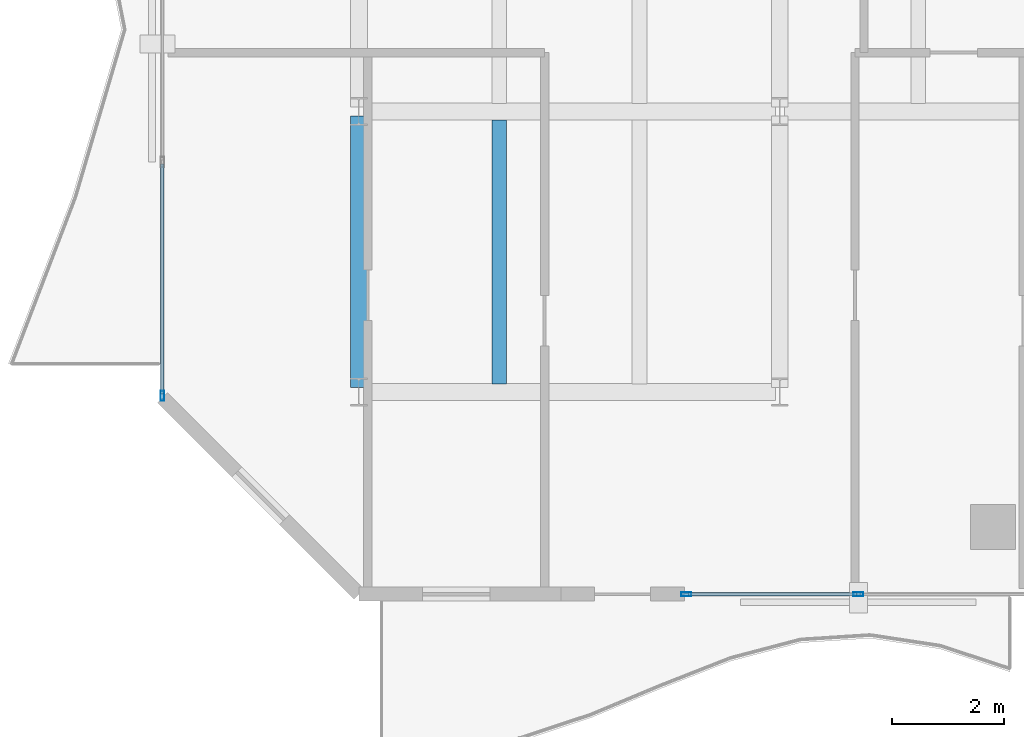
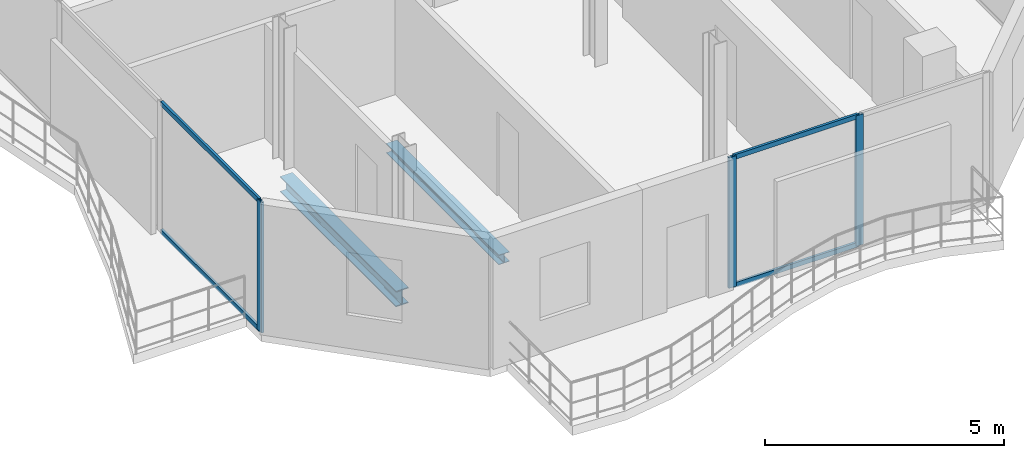
# One storey, part 3 of 23: 7 members, 2 beams, 2 elements without a shape of their own.
"""IFC4 building model written with IfcOpenShell, lengths in metres."""

from ifc_helpers import new_model, si_unit, direction, frame, origin, origin_2d, place, context, subcontext, project, spatial, hollow_rectangle, i_section, extrude, material, layer, layer_set, material_profile, profile_set, type_object, element, aggregate, save


model = new_model("IFC4")

# Units and contexts
model_context = context("Model", 3, precision=1e-05, world=origin(), true_north=direction((0.0, 1.0)))
body_context = subcontext(model_context, "Body", "Model", "MODEL_VIEW")
ifc_project = project(units=[si_unit("LENGTHUNIT", "METRE"), si_unit("AREAUNIT", "SQUARE_METRE"), si_unit("VOLUMEUNIT", "CUBIC_METRE"), si_unit("PLANEANGLEUNIT", "RADIAN"), si_unit("MASSUNIT", "GRAM", prefix="KILO")], contexts=[model_context])

# Site, building, storey
site_placement = place(None, origin())
site = spatial("IfcSite", under=ifc_project, at=site_placement, CompositionType="ELEMENT")
building_placement = place(site_placement, origin())
building = spatial("IfcBuilding", under=site, at=building_placement, Name="Catumbela Crestline Tower", CompositionType="ELEMENT")
storey_placement = place(building_placement, frame((0.0, 0.0, 186.6)))
storey = spatial("IfcBuildingStorey", under=building, at=storey_placement, Name="L48", CompositionType="ELEMENT", Elevation=186.6)

# Beams
ifc_material_1 = material(Name="Structural steel S355J2", Category="steel")
ifc_material_profile_1 = material_profile(ifc_material_1, i_section(OverallWidth=0.3, OverallDepth=0.4, WebThickness=0.0135, FlangeThickness=0.024, FilletRadius=0.027, at=origin_2d()), Name="HEB 400")
ifc_profile_set_1 = profile_set([ifc_material_profile_1], Name="Structural steel S355J2")
beam_type_1 = type_object("IfcBeamType", Name="BG-HEB400", PredefinedType="BEAM", material=ifc_profile_set_1)
beam_1_placement = place(storey_placement, frame((8.5, 8.68, -0.46), z_axis=(0.0, 1.0, 0.0), x_axis=(-1.0, 0.0, 0.0)))
element("IfcBeam", 1, at=beam_1_placement, inside=storey, type_object=beam_type_1, Name="L48 Beam BM-L48-WNS37", PredefinedType="BEAM", context=body_context, shape_type="SweptSolid", body=[
    extrude(i_section(OverallWidth=0.3, OverallDepth=0.4, WebThickness=0.0135, FlangeThickness=0.024, FilletRadius=0.027, at=origin_2d()), origin(), (0.0, 0.0, 1.0), 4.84),
])
ifc_material_profile_2 = material_profile(ifc_material_1, i_section(OverallWidth=0.26, OverallDepth=0.25, WebThickness=0.0075, FlangeThickness=0.0125, FilletRadius=0.024, at=origin_2d()), Name="HEA 260")
ifc_profile_set_2 = profile_set([ifc_material_profile_2], Name="Structural steel S355J2")
beam_type_2 = type_object("IfcBeamType", Name="BJ-HEA260", PredefinedType="JOIST", material=ifc_profile_set_2)
beam_2_placement = place(storey_placement, frame((11.0, 8.747, -0.385), z_axis=(0.0, 1.0, 0.0), x_axis=(-1.0, 0.0, 0.0)))
element("IfcBeam", 2, at=beam_2_placement, inside=storey, type_object=beam_type_2, Name="L48 Joist JS-L48-WG44", PredefinedType="JOIST", context=body_context, shape_type="SweptSolid", body=[
    extrude(i_section(OverallWidth=0.26, OverallDepth=0.25, WebThickness=0.0075, FlangeThickness=0.0125, FilletRadius=0.024, at=origin_2d()), origin(), (0.0, 0.0, 1.0), 4.706),
])

# Curtain wall, members
ifc_material_2 = material(Name="Aluminium alloy AW-6060-T66", Category="aluminium")
ifc_layer = layer(ifc_material_2, 0.18, Name="Aluminium alloy AW-6060-T66")
ifc_layer_set = layer_set([ifc_layer], Name="Aluminium alloy AW-6060-T66")
curtain_wall_type = type_object("IfcCurtainWallType", Name="CWU-Z3", PredefinedType="USERDEFINED", material=ifc_layer_set)
curtain_wall_1_placement = place(storey_placement, origin())
curtain_wall_1 = element("IfcCurtainWall", 3, at=curtain_wall_1_placement, inside=storey, type_object=curtain_wall_type, Name="L48 Unitised Curtain Wall CW-L48-E0S2", ObjectType="UNITISED", PredefinedType="USERDEFINED")
ifc_material_profile_3 = material_profile(ifc_material_2, hollow_rectangle(XDim=0.065, YDim=0.18, WallThickness=0.004, at=origin_2d()), Name="ALU 180x65x4")
ifc_profile_set_3 = profile_set([ifc_material_profile_3], Name="Aluminium alloy AW-6060-T66")
member_type_1 = type_object("IfcMemberType", Name="MUL-180X65", PredefinedType="MULLION", material=ifc_profile_set_3)
member_1_placement = place(storey_placement, frame((14.3325, 5.0, 0.0), z_axis=(0.0, 0.0, 1.0), x_axis=(0.0, 1.0, 0.0)))
member_1 = element("IfcMember", 4, at=member_1_placement, type_object=member_type_1, Name="CWU-Z3 mullion 1", PredefinedType="MULLION", context=body_context, shape_type="SweptSolid", body=[
    extrude(hollow_rectangle(XDim=0.065, YDim=0.18, WallThickness=0.004, at=origin_2d()), origin(), (0.0, 0.0, 1.0), 3.33),
])
member_2_placement = place(storey_placement, frame((17.4, 5.0, 0.0), z_axis=(0.0, 0.0, 1.0), x_axis=(0.0, 1.0, 0.0)))
member_2 = element("IfcMember", 5, at=member_2_placement, type_object=member_type_1, Name="CWU-Z3 mullion 2", PredefinedType="MULLION", context=body_context, shape_type="SweptSolid", body=[
    extrude(hollow_rectangle(XDim=0.065, YDim=0.18, WallThickness=0.004, at=origin_2d()), origin(), (0.0, 0.0, 1.0), 3.33),
])

# Curtain wall, member
curtain_wall_2_placement = place(storey_placement, origin())
curtain_wall_2 = element("IfcCurtainWall", 6, at=curtain_wall_2_placement, inside=storey, type_object=curtain_wall_type, Name="L48 Unitised Curtain Wall CW-L48-E9S2", ObjectType="UNITISED", PredefinedType="USERDEFINED")
member_3_placement = place(storey_placement, frame((5.0, 8.5325, 0.0), z_axis=(0.0, 0.0, 1.0), x_axis=(1.0, 0.0, 0.0)))
member_3 = element("IfcMember", 7, at=member_3_placement, type_object=member_type_1, Name="CWU-Z3 mullion 7", PredefinedType="MULLION", context=body_context, shape_type="SweptSolid", body=[
    extrude(hollow_rectangle(XDim=0.065, YDim=0.18, WallThickness=0.004, at=origin_2d()), origin(), (0.0, 0.0, 1.0), 3.33),
])

# Member
ifc_material_profile_4 = material_profile(ifc_material_2, hollow_rectangle(XDim=0.06, YDim=0.12, WallThickness=0.0035, at=origin_2d()), Name="ALU 120x60x3.5")
ifc_profile_set_4 = profile_set([ifc_material_profile_4], Name="Aluminium alloy AW-6060-T66")
member_type_2 = type_object("IfcMemberType", Name="TRN-120X60", PredefinedType="USERDEFINED", material=ifc_profile_set_4)
member_4_placement = place(storey_placement, frame((14.365, 5.0, 0.03), z_axis=(1.0, 0.0, 0.0), x_axis=(0.0, 1.0, 0.0)))
member_4 = element("IfcMember", 8, at=member_4_placement, type_object=member_type_2, Name="CWU-Z3 transom 1.1", ObjectType="TRANSOM", PredefinedType="USERDEFINED", context=body_context, shape_type="SweptSolid", body=[
    extrude(hollow_rectangle(XDim=0.06, YDim=0.12, WallThickness=0.0035, at=origin_2d()), origin(), (0.0, 0.0, 1.0), 3.0025),
])

member_5_placement = place(storey_placement, frame((14.365, 5.0, 3.3), z_axis=(1.0, 0.0, 0.0), x_axis=(0.0, 1.0, 0.0)))
member_5 = element("IfcMember", 9, at=member_5_placement, type_object=member_type_2, Name="CWU-Z3 transom 1.2", ObjectType="TRANSOM", PredefinedType="USERDEFINED", context=body_context, shape_type="SweptSolid", body=[
    extrude(hollow_rectangle(XDim=0.06, YDim=0.12, WallThickness=0.0035, at=origin_2d()), origin(), (0.0, 0.0, 1.0), 3.0025),
])

aggregate(curtain_wall_1, [member_1, member_2, member_4, member_5])

member_6_placement = place(storey_placement, frame((5.0, 12.6675, 0.03), z_axis=(0.0, -1.0, 0.0), x_axis=(1.0, 0.0, 0.0)))
member_6 = element("IfcMember", 10, at=member_6_placement, type_object=member_type_2, Name="CWU-Z3 transom 6.1", ObjectType="TRANSOM", PredefinedType="USERDEFINED", context=body_context, shape_type="SweptSolid", body=[
    extrude(hollow_rectangle(XDim=0.06, YDim=0.12, WallThickness=0.0035, at=origin_2d()), origin(), (0.0, 0.0, 1.0), 4.1025),
])

member_7_placement = place(storey_placement, frame((5.0, 12.6675, 3.3), z_axis=(0.0, -1.0, 0.0), x_axis=(1.0, 0.0, 0.0)))
member_7 = element("IfcMember", 11, at=member_7_placement, type_object=member_type_2, Name="CWU-Z3 transom 6.2", ObjectType="TRANSOM", PredefinedType="USERDEFINED", context=body_context, shape_type="SweptSolid", body=[
    extrude(hollow_rectangle(XDim=0.06, YDim=0.12, WallThickness=0.0035, at=origin_2d()), origin(), (0.0, 0.0, 1.0), 4.1025),
])

aggregate(curtain_wall_2, [member_3, member_6, member_7])

save(model, "model.ifc")
